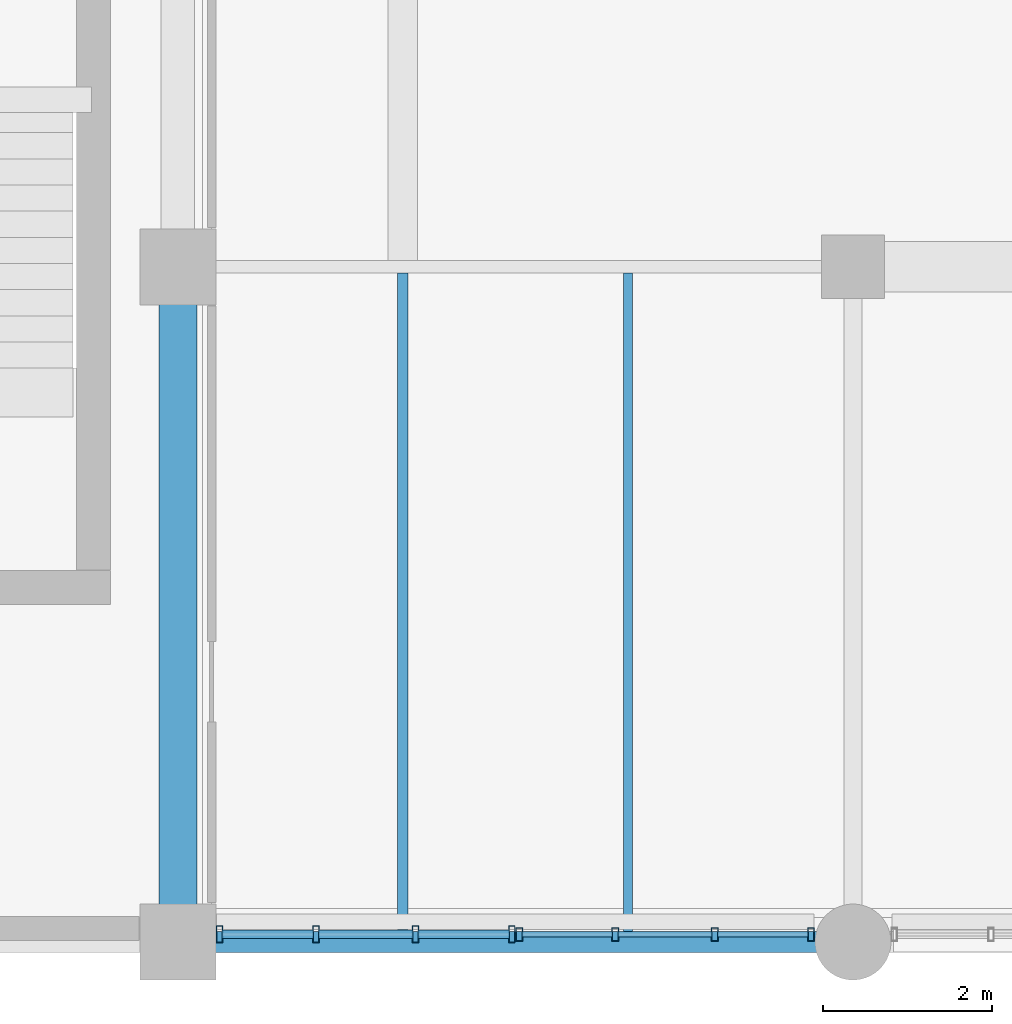
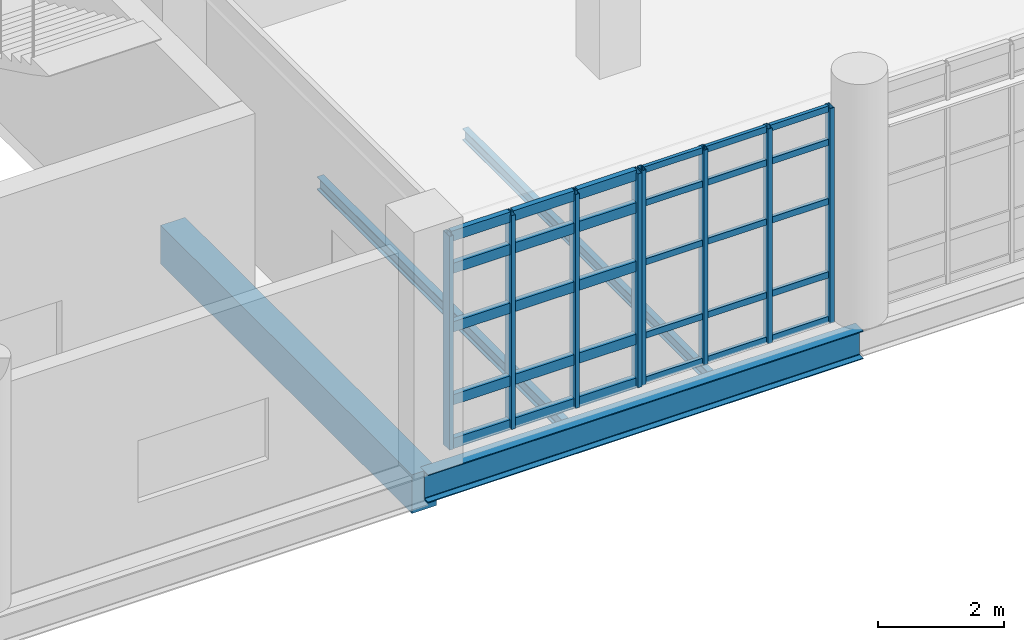
# One storey, part 15 of 100: 38 members, 4 beams, 2 elements without a shape of their own.
"""IFC4 building model written with IfcOpenShell, lengths in metres."""

from ifc_helpers import new_model, si_unit, derived_unit, direction, frame, origin, origin_2d, place, context, subcontext, project, spatial, rectangle, hollow_rectangle, i_section, extrude, material, layer, layer_set, material_profile, profile_set, type_object, element, aggregate, save


model = new_model("IFC4")

# Units and contexts
model_context = context("Model", 3, precision=1e-05, world=origin(), true_north=direction((0.0, 1.0)))
body_context = subcontext(model_context, "Body", "Model", "MODEL_VIEW")
ifc_project = project(units=[si_unit("LENGTHUNIT", "METRE"), si_unit("AREAUNIT", "SQUARE_METRE"), si_unit("VOLUMEUNIT", "CUBIC_METRE"), si_unit("PLANEANGLEUNIT", "RADIAN"), si_unit("MASSUNIT", "GRAM", prefix="KILO"), derived_unit("THERMALTRANSMITTANCEUNIT", [(si_unit("POWERUNIT", "WATT"), 1), (si_unit("LENGTHUNIT", "METRE"), -2), (si_unit("THERMODYNAMICTEMPERATUREUNIT", "KELVIN"), -1)])], contexts=[model_context])

# Site, building, storey
site_placement = place(None, origin())
site = spatial("IfcSite", under=ifc_project, at=site_placement, CompositionType="ELEMENT")
building_placement = place(site_placement, origin())
building = spatial("IfcBuilding", under=site, at=building_placement, Name="Nallur Shell Playhouse", CompositionType="ELEMENT")
storey_placement = place(building_placement, frame((0.0, 0.0, 10.199951171875)))
storey = spatial("IfcBuildingStorey", under=building, at=storey_placement, Name="L03", CompositionType="ELEMENT", Elevation=10.199951171875)

# Beams
ifc_material_1 = material(Name="Steel E250", Category="steel")
ifc_material_profile_1 = material_profile(ifc_material_1, i_section(OverallWidth=0.110107421875, OverallDepth=0.22509765625, WebThickness=0.006591796875, FlangeThickness=0.01171875, FilletRadius=0.011962890625, at=origin_2d()), Name="ISMB 225")
ifc_profile_set_1 = profile_set([ifc_material_profile_1], Name="Steel E250")
beam_type_1 = type_object("IfcBeamType", Name="BM-JST-ISMB225", PredefinedType="JOIST", material=ifc_profile_set_1)
beam_1_placement = place(storey_placement, frame((45.333251953125, 8.123046875, -0.37255859375), z_axis=(0.0, 1.0, 0.0), x_axis=(-1.0, 0.0, 0.0)))
element("IfcBeam", 1, at=beam_1_placement, inside=storey, type_object=beam_type_1, Name="L03 secondary joist 5-A-713", PredefinedType="JOIST", context=body_context, shape_type="SweptSolid", body=[
    extrude(i_section(OverallWidth=0.110107421875, OverallDepth=0.22509765625, WebThickness=0.006591796875, FlangeThickness=0.01171875, FilletRadius=0.011962890625, at=origin_2d()), origin(), (0.0, 0.0, 1.0), 7.803955078125),
])
ifc_material_profile_2 = material_profile(ifc_material_1, i_section(OverallWidth=0.125, OverallDepth=0.25, WebThickness=0.0068359375, FlangeThickness=0.012451171875, FilletRadius=0.012939453125, at=origin_2d()), Name="ISMB 250")
ifc_profile_set_2 = profile_set([ifc_material_profile_2], Name="Steel E250")
beam_type_2 = type_object("IfcBeamType", Name="BM-JST-ISMB250", PredefinedType="JOIST", material=ifc_profile_set_2)
beam_2_placement = place(storey_placement, frame((42.666748046875, 8.123046875, -0.385009765625), z_axis=(0.0, 1.0, 0.0), x_axis=(-1.0, 0.0, 0.0)))
element("IfcBeam", 2, at=beam_2_placement, inside=storey, type_object=beam_type_2, Name="L03 secondary joist 5-A-712", PredefinedType="JOIST", context=body_context, shape_type="SweptSolid", body=[
    extrude(i_section(OverallWidth=0.125, OverallDepth=0.25, WebThickness=0.0068359375, FlangeThickness=0.012451171875, FilletRadius=0.012939453125, at=origin_2d()), origin(), (0.0, 0.0, 1.0), 7.803955078125),
])
ifc_material_2 = material(Name="Concrete M35", Category="concrete")
ifc_material_profile_3 = material_profile(ifc_material_2, rectangle(XDim=0.449951171875, YDim=0.75, at=origin_2d()), Name="RC 450x750")
ifc_profile_set_3 = profile_set([ifc_material_profile_3], Name="Concrete M35")
beam_type_3 = type_object("IfcBeamType", Name="BM-RC-450x750", PredefinedType="BEAM", material=ifc_profile_set_3)
beam_3_placement = place(storey_placement, frame((40.0, 8.0, -0.635009765625), z_axis=(0.0, 1.0, 0.0), x_axis=(-1.0, 0.0, 0.0)))
element("IfcBeam", 3, at=beam_3_placement, inside=storey, type_object=beam_type_3, Name="L03 girder Y-5-638", PredefinedType="BEAM", context=body_context, shape_type="SweptSolid", body=[
    extrude(rectangle(XDim=0.449951171875, YDim=0.75, at=origin_2d()), origin(), (0.0, 0.0, 1.0), 8.0),
])
ifc_material_3 = material(Name="Steel E350", Category="steel")
ifc_material_profile_4 = material_profile(ifc_material_3, i_section(OverallWidth=0.25, OverallDepth=0.550048828125, WebThickness=0.010498046875, FlangeThickness=0.017578125, FilletRadius=0.01611328125, at=origin_2d()), Name="ISWB 550")
ifc_profile_set_4 = profile_set([ifc_material_profile_4], Name="Steel E350")
beam_type_4 = type_object("IfcBeamType", Name="BM-ST-ISWB550", PredefinedType="BEAM", material=ifc_profile_set_4)
beam_4_placement = place(storey_placement, frame((40.0, 8.0, -0.534912109375), z_axis=(1.0, 0.0, 0.0), x_axis=(0.0, 1.0, 0.0)))
element("IfcBeam", 4, at=beam_4_placement, inside=storey, type_object=beam_type_4, Name="L03 girder X-A-578", PredefinedType="BEAM", context=body_context, shape_type="SweptSolid", body=[
    extrude(i_section(OverallWidth=0.25, OverallDepth=0.550048828125, WebThickness=0.010498046875, FlangeThickness=0.017578125, FilletRadius=0.01611328125, at=origin_2d()), origin(), (0.0, 0.0, 1.0), 8.0),
])

# Curtain wall, members
ifc_material_4 = material(Name="Anodised Aluminium Double-Glazed Facade System", Category="aluminium")
ifc_layer_1 = layer(ifc_material_4, 0.179931640625)
ifc_layer_set_1 = layer_set([ifc_layer_1], Name="Anodised Aluminium Double-Glazed Facade System")
curtain_wall_type_1 = type_object("IfcCurtainWallType", Name="CW-UNIT-05", PredefinedType="NOTDEFINED", material=ifc_layer_set_1)
curtain_wall_1_placement = place(storey_placement, origin())
curtain_wall_1 = element("IfcCurtainWall", 5, at=curtain_wall_1_placement, inside=storey, type_object=curtain_wall_type_1, Name="Unitised curtain wall CW-101 (L03)", PredefinedType="NOTDEFINED")
ifc_material_5 = material(Name="Aluminium Alloy 6063-T6 Mullion", Category="aluminium")
ifc_material_profile_5 = material_profile(ifc_material_5, hollow_rectangle(XDim=0.080078125, YDim=0.159912109375, WallThickness=0.006103515625, at=origin_2d()), Name="RHS 160x80x6")
ifc_profile_set_5 = profile_set([ifc_material_profile_5], Name="Aluminium Alloy 6063-T6 Mullion")
member_type_1 = type_object("IfcMemberType", Name="MB-CW-MUL150", PredefinedType="MULLION", material=ifc_profile_set_5)
member_1_placement = place(storey_placement, frame((47.501953125, 8.090087890625, -0.014892578125), z_axis=(0.0, 0.0, 1.0), x_axis=(-1.0, 0.0, 0.0)))
member_1 = element("IfcMember", 6, at=member_1_placement, type_object=member_type_1, Name="CW-05 mullion 1", PredefinedType="MULLION", context=body_context, shape_type="SweptSolid", body=[
    extrude(hollow_rectangle(XDim=0.080078125, YDim=0.159912109375, WallThickness=0.006103515625, at=origin_2d()), origin(), (0.0, 0.0, 1.0), 4.173828125),
])
member_2_placement = place(storey_placement, frame((46.363037109375, 8.090087890625, -0.014892578125), z_axis=(0.0, 0.0, 1.0), x_axis=(-1.0, 0.0, 0.0)))
member_2 = element("IfcMember", 7, at=member_2_placement, type_object=member_type_1, Name="CW-05 mullion 2", PredefinedType="MULLION", context=body_context, shape_type="SweptSolid", body=[
    extrude(hollow_rectangle(XDim=0.080078125, YDim=0.159912109375, WallThickness=0.006103515625, at=origin_2d()), origin(), (0.0, 0.0, 1.0), 4.173828125),
])
member_3_placement = place(storey_placement, frame((45.18408203125, 8.090087890625, -0.014892578125), z_axis=(0.0, 0.0, 1.0), x_axis=(-1.0, 0.0, 0.0)))
member_3 = element("IfcMember", 8, at=member_3_placement, type_object=member_type_1, Name="CW-05 mullion 3", PredefinedType="MULLION", context=body_context, shape_type="SweptSolid", body=[
    extrude(hollow_rectangle(XDim=0.080078125, YDim=0.159912109375, WallThickness=0.006103515625, at=origin_2d()), origin(), (0.0, 0.0, 1.0), 4.173828125),
])
member_4_placement = place(storey_placement, frame((44.044921875, 8.090087890625, -0.014892578125), z_axis=(0.0, 0.0, 1.0), x_axis=(-1.0, 0.0, 0.0)))
member_4 = element("IfcMember", 9, at=member_4_placement, type_object=member_type_1, Name="CW-05 mullion 4", PredefinedType="MULLION", context=body_context, shape_type="SweptSolid", body=[
    extrude(hollow_rectangle(XDim=0.080078125, YDim=0.159912109375, WallThickness=0.006103515625, at=origin_2d()), origin(), (0.0, 0.0, 1.0), 4.173828125),
])

ifc_layer_2 = layer(ifc_material_4, 0.159912109375)
ifc_layer_set_2 = layer_set([ifc_layer_2], Name="Anodised Aluminium Double-Glazed Facade System")
curtain_wall_type_2 = type_object("IfcCurtainWallType", Name="CW-UNIT-06", PredefinedType="NOTDEFINED", material=ifc_layer_set_2)
curtain_wall_2_placement = place(storey_placement, origin())
curtain_wall_2 = element("IfcCurtainWall", 10, at=curtain_wall_2_placement, inside=storey, type_object=curtain_wall_type_2, Name="Unitised curtain wall CW-102 (L03)", PredefinedType="NOTDEFINED")
ifc_material_profile_6 = material_profile(ifc_material_5, hollow_rectangle(XDim=0.074951171875, YDim=0.199951171875, WallThickness=0.0048828125, at=origin_2d()), Name="ALU 75x200x5")
ifc_profile_set_6 = profile_set([ifc_material_profile_6], Name="Aluminium Alloy 6063-T6 Mullion")
member_type_2 = type_object("IfcMemberType", Name="MB-CW-MUL180", PredefinedType="MULLION", material=ifc_profile_set_6)
member_5_placement = place(storey_placement, frame((43.95751953125, 8.090087890625, -0.014892578125), z_axis=(0.0, 0.0, 1.0), x_axis=(-1.0, 0.0, 0.0)))
member_5 = element("IfcMember", 11, at=member_5_placement, type_object=member_type_2, Name="CW-06 mullion 1", PredefinedType="MULLION", context=body_context, shape_type="SweptSolid", body=[
    extrude(hollow_rectangle(XDim=0.074951171875, YDim=0.199951171875, WallThickness=0.0048828125, at=origin_2d()), origin(), (0.0, 0.0, 1.0), 4.154052734375),
])
member_6_placement = place(storey_placement, frame((42.81591796875, 8.090087890625, -0.014892578125), z_axis=(0.0, 0.0, 1.0), x_axis=(-1.0, 0.0, 0.0)))
member_6 = element("IfcMember", 12, at=member_6_placement, type_object=member_type_2, Name="CW-06 mullion 2", PredefinedType="MULLION", context=body_context, shape_type="SweptSolid", body=[
    extrude(hollow_rectangle(XDim=0.074951171875, YDim=0.199951171875, WallThickness=0.0048828125, at=origin_2d()), origin(), (0.0, 0.0, 1.0), 4.154052734375),
])
member_7_placement = place(storey_placement, frame((41.636962890625, 8.090087890625, -0.014892578125), z_axis=(0.0, 0.0, 1.0), x_axis=(-1.0, 0.0, 0.0)))
member_7 = element("IfcMember", 13, at=member_7_placement, type_object=member_type_2, Name="CW-06 mullion 3", PredefinedType="MULLION", context=body_context, shape_type="SweptSolid", body=[
    extrude(hollow_rectangle(XDim=0.074951171875, YDim=0.199951171875, WallThickness=0.0048828125, at=origin_2d()), origin(), (0.0, 0.0, 1.0), 4.154052734375),
])
member_8_placement = place(storey_placement, frame((40.49560546875, 8.090087890625, -0.014892578125), z_axis=(0.0, 0.0, 1.0), x_axis=(-1.0, 0.0, 0.0)))
member_8 = element("IfcMember", 14, at=member_8_placement, type_object=member_type_2, Name="CW-06 mullion 4", PredefinedType="MULLION", context=body_context, shape_type="SweptSolid", body=[
    extrude(hollow_rectangle(XDim=0.074951171875, YDim=0.199951171875, WallThickness=0.0048828125, at=origin_2d()), origin(), (0.0, 0.0, 1.0), 4.154052734375),
])

# Member
ifc_material_6 = material(Name="Aluminium Alloy 6063-T6 Transom", Category="aluminium")
ifc_material_profile_7 = material_profile(ifc_material_6, hollow_rectangle(XDim=0.06494140625, YDim=0.1201171875, WallThickness=0.00390625, at=origin_2d()), Name="ALU 65x120x4")
ifc_profile_set_7 = profile_set([ifc_material_profile_7], Name="Aluminium Alloy 6063-T6 Transom")
member_type_3 = type_object("IfcMemberType", Name="MB-CW-TRN120", PredefinedType="USERDEFINED", material=ifc_profile_set_7)
member_9_placement = place(storey_placement, frame((47.469970703125, 8.090087890625, 0.032470703125), z_axis=(-1.0, 0.0, 0.0), x_axis=(0.0, -1.0, 0.0)))
member_9 = element("IfcMember", 15, at=member_9_placement, type_object=member_type_3, Name="CW-05 transom 1.1", ObjectType="TRANSOM", PredefinedType="USERDEFINED", context=body_context, shape_type="SweptSolid", body=[
    extrude(hollow_rectangle(XDim=0.06494140625, YDim=0.1201171875, WallThickness=0.00390625, at=origin_2d()), origin(), (0.0, 0.0, 1.0), 1.074951171875),
])

member_10_placement = place(storey_placement, frame((47.469970703125, 8.090087890625, 0.900146484375), z_axis=(-1.0, 0.0, 0.0), x_axis=(0.0, -1.0, 0.0)))
member_10 = element("IfcMember", 16, at=member_10_placement, type_object=member_type_3, Name="CW-05 transom 1.2", ObjectType="TRANSOM", PredefinedType="USERDEFINED", context=body_context, shape_type="SweptSolid", body=[
    extrude(hollow_rectangle(XDim=0.06494140625, YDim=0.1201171875, WallThickness=0.00390625, at=origin_2d()), origin(), (0.0, 0.0, 1.0), 1.074951171875),
])

member_11_placement = place(storey_placement, frame((47.469970703125, 8.090087890625, 2.3271484375), z_axis=(-1.0, 0.0, 0.0), x_axis=(0.0, -1.0, 0.0)))
member_11 = element("IfcMember", 17, at=member_11_placement, type_object=member_type_3, Name="CW-05 transom 1.3", ObjectType="TRANSOM", PredefinedType="USERDEFINED", context=body_context, shape_type="SweptSolid", body=[
    extrude(hollow_rectangle(XDim=0.06494140625, YDim=0.1201171875, WallThickness=0.00390625, at=origin_2d()), origin(), (0.0, 0.0, 1.0), 1.074951171875),
])

member_12_placement = place(storey_placement, frame((47.469970703125, 8.090087890625, 3.47509765625), z_axis=(-1.0, 0.0, 0.0), x_axis=(0.0, -1.0, 0.0)))
member_12 = element("IfcMember", 18, at=member_12_placement, type_object=member_type_3, Name="CW-05 transom 1.4", ObjectType="TRANSOM", PredefinedType="USERDEFINED", context=body_context, shape_type="SweptSolid", body=[
    extrude(hollow_rectangle(XDim=0.06494140625, YDim=0.1201171875, WallThickness=0.00390625, at=origin_2d()), origin(), (0.0, 0.0, 1.0), 1.074951171875),
])

member_13_placement = place(storey_placement, frame((47.469970703125, 8.090087890625, 4.12255859375), z_axis=(-1.0, 0.0, 0.0), x_axis=(0.0, -1.0, 0.0)))
member_13 = element("IfcMember", 19, at=member_13_placement, type_object=member_type_3, Name="CW-05 transom 1.5", ObjectType="TRANSOM", PredefinedType="USERDEFINED", context=body_context, shape_type="SweptSolid", body=[
    extrude(hollow_rectangle(XDim=0.06494140625, YDim=0.1201171875, WallThickness=0.00390625, at=origin_2d()), origin(), (0.0, 0.0, 1.0), 1.074951171875),
])

member_14_placement = place(storey_placement, frame((46.3310546875, 8.090087890625, 0.032470703125), z_axis=(-1.0, 0.0, 0.0), x_axis=(0.0, -1.0, 0.0)))
member_14 = element("IfcMember", 20, at=member_14_placement, type_object=member_type_3, Name="CW-05 transom 2.1", ObjectType="TRANSOM", PredefinedType="USERDEFINED", context=body_context, shape_type="SweptSolid", body=[
    extrude(hollow_rectangle(XDim=0.06494140625, YDim=0.1201171875, WallThickness=0.00390625, at=origin_2d()), origin(), (0.0, 0.0, 1.0), 1.114990234375),
])

member_15_placement = place(storey_placement, frame((46.3310546875, 8.090087890625, 0.900146484375), z_axis=(-1.0, 0.0, 0.0), x_axis=(0.0, -1.0, 0.0)))
member_15 = element("IfcMember", 21, at=member_15_placement, type_object=member_type_3, Name="CW-05 transom 2.2", ObjectType="TRANSOM", PredefinedType="USERDEFINED", context=body_context, shape_type="SweptSolid", body=[
    extrude(hollow_rectangle(XDim=0.06494140625, YDim=0.1201171875, WallThickness=0.00390625, at=origin_2d()), origin(), (0.0, 0.0, 1.0), 1.114990234375),
])

member_16_placement = place(storey_placement, frame((46.3310546875, 8.090087890625, 2.3271484375), z_axis=(-1.0, 0.0, 0.0), x_axis=(0.0, -1.0, 0.0)))
member_16 = element("IfcMember", 22, at=member_16_placement, type_object=member_type_3, Name="CW-05 transom 2.3", ObjectType="TRANSOM", PredefinedType="USERDEFINED", context=body_context, shape_type="SweptSolid", body=[
    extrude(hollow_rectangle(XDim=0.06494140625, YDim=0.1201171875, WallThickness=0.00390625, at=origin_2d()), origin(), (0.0, 0.0, 1.0), 1.114990234375),
])

member_17_placement = place(storey_placement, frame((46.3310546875, 8.090087890625, 3.47509765625), z_axis=(-1.0, 0.0, 0.0), x_axis=(0.0, -1.0, 0.0)))
member_17 = element("IfcMember", 23, at=member_17_placement, type_object=member_type_3, Name="CW-05 transom 2.4", ObjectType="TRANSOM", PredefinedType="USERDEFINED", context=body_context, shape_type="SweptSolid", body=[
    extrude(hollow_rectangle(XDim=0.06494140625, YDim=0.1201171875, WallThickness=0.00390625, at=origin_2d()), origin(), (0.0, 0.0, 1.0), 1.114990234375),
])

member_18_placement = place(storey_placement, frame((46.3310546875, 8.090087890625, 4.12255859375), z_axis=(-1.0, 0.0, 0.0), x_axis=(0.0, -1.0, 0.0)))
member_18 = element("IfcMember", 24, at=member_18_placement, type_object=member_type_3, Name="CW-05 transom 2.5", ObjectType="TRANSOM", PredefinedType="USERDEFINED", context=body_context, shape_type="SweptSolid", body=[
    extrude(hollow_rectangle(XDim=0.06494140625, YDim=0.1201171875, WallThickness=0.00390625, at=origin_2d()), origin(), (0.0, 0.0, 1.0), 1.114990234375),
])

member_19_placement = place(storey_placement, frame((45.152099609375, 8.090087890625, 0.032470703125), z_axis=(-1.0, 0.0, 0.0), x_axis=(0.0, -1.0, 0.0)))
member_19 = element("IfcMember", 25, at=member_19_placement, type_object=member_type_3, Name="CW-05 transom 3.1", ObjectType="TRANSOM", PredefinedType="USERDEFINED", context=body_context, shape_type="SweptSolid", body=[
    extrude(hollow_rectangle(XDim=0.06494140625, YDim=0.1201171875, WallThickness=0.00390625, at=origin_2d()), origin(), (0.0, 0.0, 1.0), 1.0751953125),
])

member_20_placement = place(storey_placement, frame((45.152099609375, 8.090087890625, 0.900146484375), z_axis=(-1.0, 0.0, 0.0), x_axis=(0.0, -1.0, 0.0)))
member_20 = element("IfcMember", 26, at=member_20_placement, type_object=member_type_3, Name="CW-05 transom 3.2", ObjectType="TRANSOM", PredefinedType="USERDEFINED", context=body_context, shape_type="SweptSolid", body=[
    extrude(hollow_rectangle(XDim=0.06494140625, YDim=0.1201171875, WallThickness=0.00390625, at=origin_2d()), origin(), (0.0, 0.0, 1.0), 1.0751953125),
])

member_21_placement = place(storey_placement, frame((45.152099609375, 8.090087890625, 2.3271484375), z_axis=(-1.0, 0.0, 0.0), x_axis=(0.0, -1.0, 0.0)))
member_21 = element("IfcMember", 27, at=member_21_placement, type_object=member_type_3, Name="CW-05 transom 3.3", ObjectType="TRANSOM", PredefinedType="USERDEFINED", context=body_context, shape_type="SweptSolid", body=[
    extrude(hollow_rectangle(XDim=0.06494140625, YDim=0.1201171875, WallThickness=0.00390625, at=origin_2d()), origin(), (0.0, 0.0, 1.0), 1.0751953125),
])

member_22_placement = place(storey_placement, frame((45.152099609375, 8.090087890625, 3.47509765625), z_axis=(-1.0, 0.0, 0.0), x_axis=(0.0, -1.0, 0.0)))
member_22 = element("IfcMember", 28, at=member_22_placement, type_object=member_type_3, Name="CW-05 transom 3.4", ObjectType="TRANSOM", PredefinedType="USERDEFINED", context=body_context, shape_type="SweptSolid", body=[
    extrude(hollow_rectangle(XDim=0.06494140625, YDim=0.1201171875, WallThickness=0.00390625, at=origin_2d()), origin(), (0.0, 0.0, 1.0), 1.0751953125),
])

member_23_placement = place(storey_placement, frame((45.152099609375, 8.090087890625, 4.12255859375), z_axis=(-1.0, 0.0, 0.0), x_axis=(0.0, -1.0, 0.0)))
member_23 = element("IfcMember", 29, at=member_23_placement, type_object=member_type_3, Name="CW-05 transom 3.5", ObjectType="TRANSOM", PredefinedType="USERDEFINED", context=body_context, shape_type="SweptSolid", body=[
    extrude(hollow_rectangle(XDim=0.06494140625, YDim=0.1201171875, WallThickness=0.00390625, at=origin_2d()), origin(), (0.0, 0.0, 1.0), 1.0751953125),
])

aggregate(curtain_wall_1, [member_1, member_2, member_3, member_4, member_9, member_10, member_11, member_12, member_13, member_14, member_15, member_16, member_17, member_18, member_19, member_20, member_21, member_22, member_23])

ifc_material_profile_8 = material_profile(ifc_material_6, hollow_rectangle(XDim=0.10009765625, YDim=0.199951171875, WallThickness=0.008056640625, at=origin_2d()), Name="RHS 200x100x8")
ifc_profile_set_8 = profile_set([ifc_material_profile_8], Name="Aluminium Alloy 6063-T6 Transom")
member_type_4 = type_object("IfcMemberType", Name="MB-CW-TRN140", PredefinedType="USERDEFINED", material=ifc_profile_set_8)
member_24_placement = place(storey_placement, frame((43.927978515625, 8.090087890625, 0.050048828125), z_axis=(-1.0, 0.0, 0.0), x_axis=(0.0, -1.0, 0.0)))
member_24 = element("IfcMember", 30, at=member_24_placement, type_object=member_type_4, Name="CW-06 transom 1.1", ObjectType="TRANSOM", PredefinedType="USERDEFINED", context=body_context, shape_type="SweptSolid", body=[
    extrude(hollow_rectangle(XDim=0.10009765625, YDim=0.199951171875, WallThickness=0.008056640625, at=origin_2d()), origin(), (0.0, 0.0, 1.0), 1.08251953125),
])

member_25_placement = place(storey_placement, frame((43.927978515625, 8.090087890625, 0.900146484375), z_axis=(-1.0, 0.0, 0.0), x_axis=(0.0, -1.0, 0.0)))
member_25 = element("IfcMember", 31, at=member_25_placement, type_object=member_type_4, Name="CW-06 transom 1.2", ObjectType="TRANSOM", PredefinedType="USERDEFINED", context=body_context, shape_type="SweptSolid", body=[
    extrude(hollow_rectangle(XDim=0.10009765625, YDim=0.199951171875, WallThickness=0.008056640625, at=origin_2d()), origin(), (0.0, 0.0, 1.0), 1.08251953125),
])

member_26_placement = place(storey_placement, frame((43.927978515625, 8.090087890625, 2.316162109375), z_axis=(-1.0, 0.0, 0.0), x_axis=(0.0, -1.0, 0.0)))
member_26 = element("IfcMember", 32, at=member_26_placement, type_object=member_type_4, Name="CW-06 transom 1.3", ObjectType="TRANSOM", PredefinedType="USERDEFINED", context=body_context, shape_type="SweptSolid", body=[
    extrude(hollow_rectangle(XDim=0.10009765625, YDim=0.199951171875, WallThickness=0.008056640625, at=origin_2d()), origin(), (0.0, 0.0, 1.0), 1.08251953125),
])

member_27_placement = place(storey_placement, frame((43.927978515625, 8.090087890625, 3.455078125), z_axis=(-1.0, 0.0, 0.0), x_axis=(0.0, -1.0, 0.0)))
member_27 = element("IfcMember", 33, at=member_27_placement, type_object=member_type_4, Name="CW-06 transom 1.4", ObjectType="TRANSOM", PredefinedType="USERDEFINED", context=body_context, shape_type="SweptSolid", body=[
    extrude(hollow_rectangle(XDim=0.10009765625, YDim=0.199951171875, WallThickness=0.008056640625, at=origin_2d()), origin(), (0.0, 0.0, 1.0), 1.08251953125),
])

member_28_placement = place(storey_placement, frame((43.927978515625, 8.090087890625, 4.0849609375), z_axis=(-1.0, 0.0, 0.0), x_axis=(0.0, -1.0, 0.0)))
member_28 = element("IfcMember", 34, at=member_28_placement, type_object=member_type_4, Name="CW-06 transom 1.5", ObjectType="TRANSOM", PredefinedType="USERDEFINED", context=body_context, shape_type="SweptSolid", body=[
    extrude(hollow_rectangle(XDim=0.10009765625, YDim=0.199951171875, WallThickness=0.008056640625, at=origin_2d()), origin(), (0.0, 0.0, 1.0), 1.08251953125),
])

member_29_placement = place(storey_placement, frame((42.78662109375, 8.090087890625, 0.050048828125), z_axis=(-1.0, 0.0, 0.0), x_axis=(0.0, -1.0, 0.0)))
member_29 = element("IfcMember", 35, at=member_29_placement, type_object=member_type_4, Name="CW-06 transom 2.1", ObjectType="TRANSOM", PredefinedType="USERDEFINED", context=body_context, shape_type="SweptSolid", body=[
    extrude(hollow_rectangle(XDim=0.10009765625, YDim=0.199951171875, WallThickness=0.008056640625, at=origin_2d()), origin(), (0.0, 0.0, 1.0), 1.1201171875),
])

member_30_placement = place(storey_placement, frame((42.78662109375, 8.090087890625, 0.900146484375), z_axis=(-1.0, 0.0, 0.0), x_axis=(0.0, -1.0, 0.0)))
member_30 = element("IfcMember", 36, at=member_30_placement, type_object=member_type_4, Name="CW-06 transom 2.2", ObjectType="TRANSOM", PredefinedType="USERDEFINED", context=body_context, shape_type="SweptSolid", body=[
    extrude(hollow_rectangle(XDim=0.10009765625, YDim=0.199951171875, WallThickness=0.008056640625, at=origin_2d()), origin(), (0.0, 0.0, 1.0), 1.1201171875),
])

member_31_placement = place(storey_placement, frame((42.78662109375, 8.090087890625, 2.316162109375), z_axis=(-1.0, 0.0, 0.0), x_axis=(0.0, -1.0, 0.0)))
member_31 = element("IfcMember", 37, at=member_31_placement, type_object=member_type_4, Name="CW-06 transom 2.3", ObjectType="TRANSOM", PredefinedType="USERDEFINED", context=body_context, shape_type="SweptSolid", body=[
    extrude(hollow_rectangle(XDim=0.10009765625, YDim=0.199951171875, WallThickness=0.008056640625, at=origin_2d()), origin(), (0.0, 0.0, 1.0), 1.1201171875),
])

member_32_placement = place(storey_placement, frame((42.78662109375, 8.090087890625, 3.455078125), z_axis=(-1.0, 0.0, 0.0), x_axis=(0.0, -1.0, 0.0)))
member_32 = element("IfcMember", 38, at=member_32_placement, type_object=member_type_4, Name="CW-06 transom 2.4", ObjectType="TRANSOM", PredefinedType="USERDEFINED", context=body_context, shape_type="SweptSolid", body=[
    extrude(hollow_rectangle(XDim=0.10009765625, YDim=0.199951171875, WallThickness=0.008056640625, at=origin_2d()), origin(), (0.0, 0.0, 1.0), 1.1201171875),
])

member_33_placement = place(storey_placement, frame((42.78662109375, 8.090087890625, 4.0849609375), z_axis=(-1.0, 0.0, 0.0), x_axis=(0.0, -1.0, 0.0)))
member_33 = element("IfcMember", 39, at=member_33_placement, type_object=member_type_4, Name="CW-06 transom 2.5", ObjectType="TRANSOM", PredefinedType="USERDEFINED", context=body_context, shape_type="SweptSolid", body=[
    extrude(hollow_rectangle(XDim=0.10009765625, YDim=0.199951171875, WallThickness=0.008056640625, at=origin_2d()), origin(), (0.0, 0.0, 1.0), 1.1201171875),
])

member_34_placement = place(storey_placement, frame((41.607421875, 8.090087890625, 0.050048828125), z_axis=(-1.0, 0.0, 0.0), x_axis=(0.0, -1.0, 0.0)))
member_34 = element("IfcMember", 40, at=member_34_placement, type_object=member_type_4, Name="CW-06 transom 3.1", ObjectType="TRANSOM", PredefinedType="USERDEFINED", context=body_context, shape_type="SweptSolid", body=[
    extrude(hollow_rectangle(XDim=0.10009765625, YDim=0.199951171875, WallThickness=0.008056640625, at=origin_2d()), origin(), (0.0, 0.0, 1.0), 1.08251953125),
])

member_35_placement = place(storey_placement, frame((41.607421875, 8.090087890625, 0.900146484375), z_axis=(-1.0, 0.0, 0.0), x_axis=(0.0, -1.0, 0.0)))
member_35 = element("IfcMember", 41, at=member_35_placement, type_object=member_type_4, Name="CW-06 transom 3.2", ObjectType="TRANSOM", PredefinedType="USERDEFINED", context=body_context, shape_type="SweptSolid", body=[
    extrude(hollow_rectangle(XDim=0.10009765625, YDim=0.199951171875, WallThickness=0.008056640625, at=origin_2d()), origin(), (0.0, 0.0, 1.0), 1.08251953125),
])

member_36_placement = place(storey_placement, frame((41.607421875, 8.090087890625, 2.316162109375), z_axis=(-1.0, 0.0, 0.0), x_axis=(0.0, -1.0, 0.0)))
member_36 = element("IfcMember", 42, at=member_36_placement, type_object=member_type_4, Name="CW-06 transom 3.3", ObjectType="TRANSOM", PredefinedType="USERDEFINED", context=body_context, shape_type="SweptSolid", body=[
    extrude(hollow_rectangle(XDim=0.10009765625, YDim=0.199951171875, WallThickness=0.008056640625, at=origin_2d()), origin(), (0.0, 0.0, 1.0), 1.08251953125),
])

member_37_placement = place(storey_placement, frame((41.607421875, 8.090087890625, 3.455078125), z_axis=(-1.0, 0.0, 0.0), x_axis=(0.0, -1.0, 0.0)))
member_37 = element("IfcMember", 43, at=member_37_placement, type_object=member_type_4, Name="CW-06 transom 3.4", ObjectType="TRANSOM", PredefinedType="USERDEFINED", context=body_context, shape_type="SweptSolid", body=[
    extrude(hollow_rectangle(XDim=0.10009765625, YDim=0.199951171875, WallThickness=0.008056640625, at=origin_2d()), origin(), (0.0, 0.0, 1.0), 1.08251953125),
])

member_38_placement = place(storey_placement, frame((41.607421875, 8.090087890625, 4.0849609375), z_axis=(-1.0, 0.0, 0.0), x_axis=(0.0, -1.0, 0.0)))
member_38 = element("IfcMember", 44, at=member_38_placement, type_object=member_type_4, Name="CW-06 transom 3.5", ObjectType="TRANSOM", PredefinedType="USERDEFINED", context=body_context, shape_type="SweptSolid", body=[
    extrude(hollow_rectangle(XDim=0.10009765625, YDim=0.199951171875, WallThickness=0.008056640625, at=origin_2d()), origin(), (0.0, 0.0, 1.0), 1.08251953125),
])

aggregate(curtain_wall_2, [member_5, member_6, member_7, member_8, member_24, member_25, member_26, member_27, member_28, member_29, member_30, member_31, member_32, member_33, member_34, member_35, member_36, member_37, member_38])

save(model, "model.ifc")
